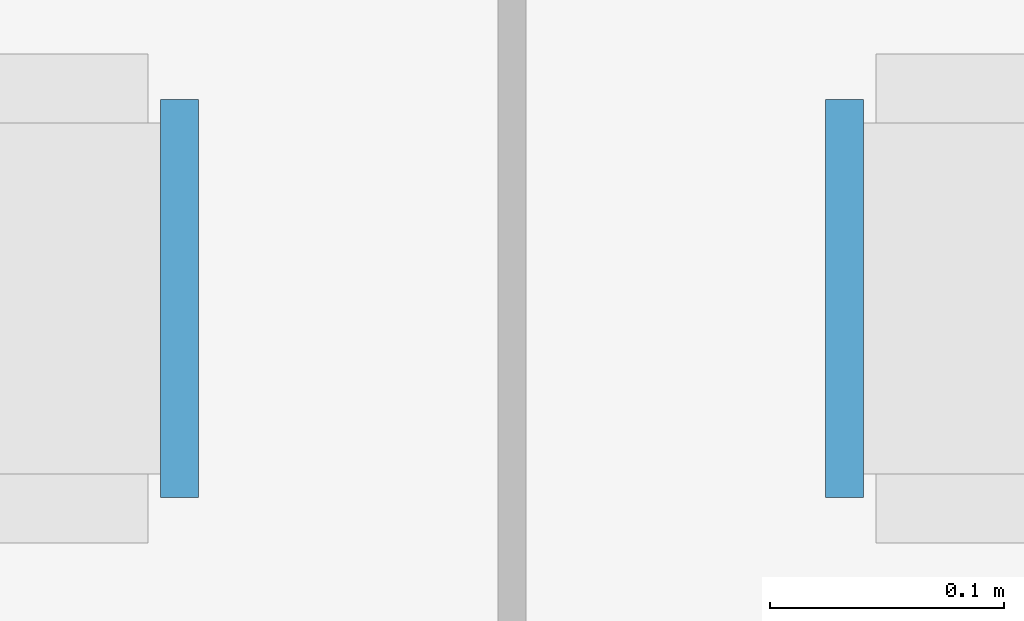
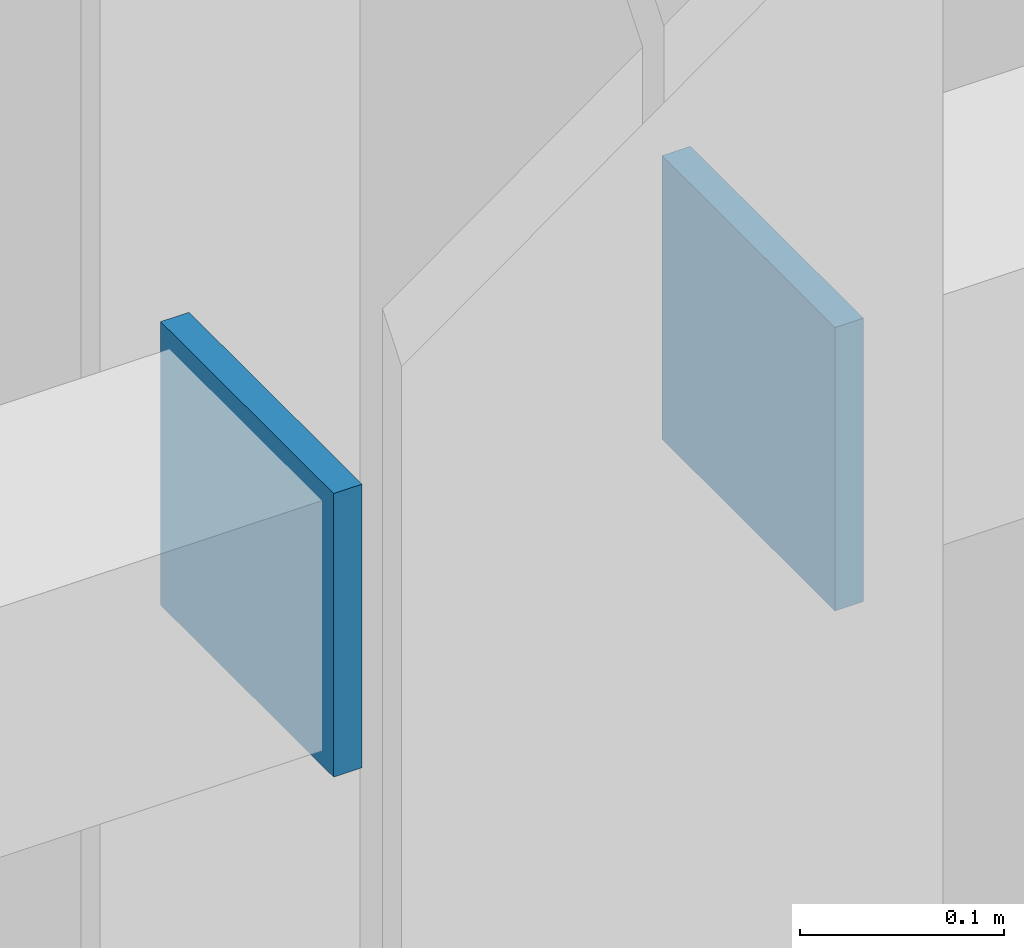
# One storey, part 151 of 188: 2 plates.
"""IFC4 building model written with IfcOpenShell, lengths in metres."""

from ifc_helpers import new_model, si_unit, direction, frame, origin, origin_2d, place, context, subcontext, project, spatial, rectangle, extrude, material, layer, layer_set, type_object, element, save


model = new_model("IFC4")

# Units and contexts
model_context = context("Model", 3, precision=1e-05, world=origin(), true_north=direction((0.0, 1.0)))
body_context = subcontext(model_context, "Body", "Model", "MODEL_VIEW")
ifc_project = project(units=[si_unit("LENGTHUNIT", "METRE"), si_unit("AREAUNIT", "SQUARE_METRE"), si_unit("VOLUMEUNIT", "CUBIC_METRE"), si_unit("PLANEANGLEUNIT", "RADIAN"), si_unit("MASSUNIT", "GRAM", prefix="KILO")], contexts=[model_context])

# Site, building, storey
site_placement = place(None, origin())
site = spatial("IfcSite", under=ifc_project, at=site_placement, CompositionType="ELEMENT")
building_placement = place(site_placement, origin())
building = spatial("IfcBuilding", under=site, at=building_placement, Name="Pandanus Reach Market Hall", CompositionType="ELEMENT")
storey_placement = place(building_placement, origin())
storey = spatial("IfcBuildingStorey", under=building, at=storey_placement, Name="L00", CompositionType="ELEMENT", Elevation=0.0)

# Plates
ifc_material = material(Name="Steel Grade 350 (350 MPa)", Category="steel")
ifc_layer = layer(ifc_material, 0.01611328125, Name="CP-PL16")
ifc_layer_set = layer_set([ifc_layer], Name="Steel Grade 350 (350 MPa)")
plate_type = type_object("IfcPlateType", Name="CP-PL16", PredefinedType="SHEET", material=ifc_layer_set)
for number, where, z_axis, x_axis, name in (
    (1, (119.85791015625, 38.39990234375, 3.06494140625), (0.0, 0.0, 1.0), (1.0, 0.0, 0.0), "Hollow lintel end cap plate CP-PL16 5B"),
    (2, (120.14208984375, 38.39990234375, 3.06494140625), (0.0, 0.0, 1.0), (1.0, 0.0, 0.0), "Hollow lintel end cap plate CP-PL16 6A"),
):
    element("IfcPlate", number, at=place(storey_placement, frame(where, z_axis=z_axis, x_axis=x_axis)), inside=storey, type_object=plate_type, Name=name, PredefinedType="SHEET", context=body_context, shape_type="SweptSolid", body=[
        extrude(rectangle(XDim=0.01611328125, YDim=0.169921875, at=origin_2d()), origin(), (0.0, 0.0, 1.0), 0.169921875),
    ])

save(model, "model.ifc")
